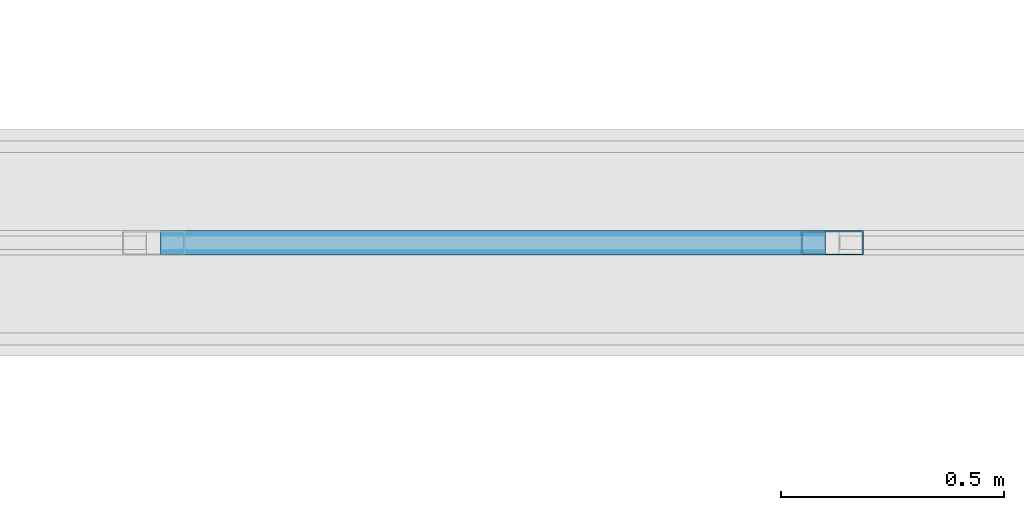
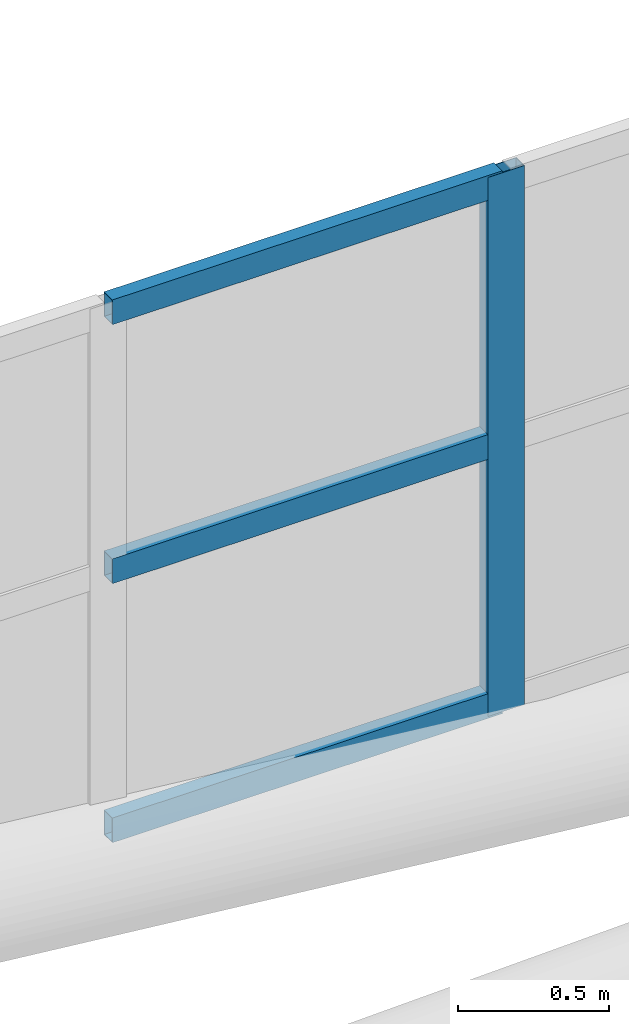
# One storey, part 106 of 397: 4 members, 1 element without a shape of its own.
"""IFC4 building model written with IfcOpenShell, lengths in metres."""

from ifc_helpers import new_model, si_unit, direction, frame, origin, origin_2d, place, context, subcontext, project, spatial, hollow_rectangle, extrude, material, material_profile, profile_set, type_object, element, aggregate, save


model = new_model("IFC4")

# Units and contexts
model_context = context("Model", 3, precision=1e-05, world=origin(), true_north=direction((0.0, 1.0)))
body_context = subcontext(model_context, "Body", "Model", "MODEL_VIEW")
ifc_project = project(units=[si_unit("LENGTHUNIT", "METRE"), si_unit("AREAUNIT", "SQUARE_METRE"), si_unit("VOLUMEUNIT", "CUBIC_METRE"), si_unit("PLANEANGLEUNIT", "RADIAN"), si_unit("MASSUNIT", "GRAM", prefix="KILO")], contexts=[model_context])

# Site, building, storey
site_placement = place(None, origin())
site = spatial("IfcSite", under=ifc_project, at=site_placement, CompositionType="ELEMENT")
building_placement = place(site_placement, origin())
building = spatial("IfcBuilding", under=site, at=building_placement, Name="Qandorah Velis Arena", CompositionType="ELEMENT")
storey_placement = place(building_placement, frame((0.0, 0.0, 27.5)))
storey = spatial("IfcBuildingStorey", under=building, at=storey_placement, Name="RF", CompositionType="ELEMENT", Elevation=27.5)

# Curtain wall, members
ifc_material_1 = material(Name="Solar-control low-E double glazing", Category="glass")
curtain_wall_type = type_object("IfcCurtainWallType", Name="ARC-CW-SYS20", PredefinedType="USERDEFINED", material=ifc_material_1)
curtain_wall_placement = place(storey_placement, origin())
curtain_wall = element("IfcCurtainWall", 1, at=curtain_wall_placement, inside=storey, type_object=curtain_wall_type, Name="Unitised curtain wall OCULUS-3-5", ObjectType="UNITISED CURTAIN WALL", PredefinedType="USERDEFINED")
ifc_material_2 = material(Name="Champagne-bronze anodized aluminium 6063-T6", Category="aluminium")
ifc_material_profile_1 = material_profile(ifc_material_2, hollow_rectangle(XDim=0.054931640625, YDim=0.139892578125, WallThickness=0.0029296875, at=origin_2d()), Name="ALU MULLION 55x140")
ifc_profile_set_1 = profile_set([ifc_material_profile_1], Name="Champagne-bronze anodized aluminium 6063-T6")
member_type_1 = type_object("IfcMemberType", Name="ARC-CWM-140", PredefinedType="MULLION", material=ifc_profile_set_1)
member_1_placement = place(storey_placement, frame((92.8388671875, 28.800048828125, 8.53515625), z_axis=(0.0, 0.0, 1.0), x_axis=(0.0, 1.0, 0.0)))
member_1 = element("IfcMember", 2, at=member_1_placement, type_object=member_type_1, Name="CW20 mullion 5", PredefinedType="MULLION", context=body_context, shape_type="SweptSolid", body=[
    extrude(hollow_rectangle(XDim=0.054931640625, YDim=0.139892578125, WallThickness=0.0029296875, at=origin_2d()), origin(), (0.0, 0.0, 1.0), 2.179931640625),
])
ifc_material_profile_2 = material_profile(ifc_material_2, hollow_rectangle(XDim=0.054931640625, YDim=0.10009765625, WallThickness=0.0029296875, at=origin_2d()), Name="ALU TRANSOM 55x100")
ifc_profile_set_2 = profile_set([ifc_material_profile_2], Name="Champagne-bronze anodized aluminium 6063-T6")
member_type_2 = type_object("IfcMemberType", Name="ARC-CWT-100", PredefinedType="USERDEFINED", material=ifc_profile_set_2)
member_2_placement = place(storey_placement, frame((91.332275390625, 28.800048828125, 8.57763671875), z_axis=(1.0, 0.0, 0.0), x_axis=(0.0, 1.0, 0.0)))
member_2 = element("IfcMember", 3, at=member_2_placement, type_object=member_type_2, Name="CW20 transom 4.1", ObjectType="TRANSOM", PredefinedType="USERDEFINED", context=body_context, shape_type="SweptSolid", body=[
    extrude(hollow_rectangle(XDim=0.054931640625, YDim=0.10009765625, WallThickness=0.0029296875, at=origin_2d()), origin(), (0.0, 0.0, 1.0), 1.4912109375),
])
member_3_placement = place(storey_placement, frame((91.332275390625, 28.800048828125, 9.625244140625), z_axis=(1.0, 0.0, 0.0), x_axis=(0.0, 1.0, 0.0)))
member_3 = element("IfcMember", 4, at=member_3_placement, type_object=member_type_2, Name="CW20 transom 4.2", ObjectType="TRANSOM", PredefinedType="USERDEFINED", context=body_context, shape_type="SweptSolid", body=[
    extrude(hollow_rectangle(XDim=0.054931640625, YDim=0.10009765625, WallThickness=0.0029296875, at=origin_2d()), origin(), (0.0, 0.0, 1.0), 1.4912109375),
])
member_4_placement = place(storey_placement, frame((91.332275390625, 28.800048828125, 10.672607421875), z_axis=(1.0, 0.0, 0.0), x_axis=(0.0, 1.0, 0.0)))
member_4 = element("IfcMember", 5, at=member_4_placement, type_object=member_type_2, Name="CW20 transom 4.3", ObjectType="TRANSOM", PredefinedType="USERDEFINED", context=body_context, shape_type="SweptSolid", body=[
    extrude(hollow_rectangle(XDim=0.054931640625, YDim=0.10009765625, WallThickness=0.0029296875, at=origin_2d()), origin(), (0.0, 0.0, 1.0), 1.4912109375),
])
aggregate(curtain_wall, [member_1, member_2, member_3, member_4])

save(model, "model.ifc")
